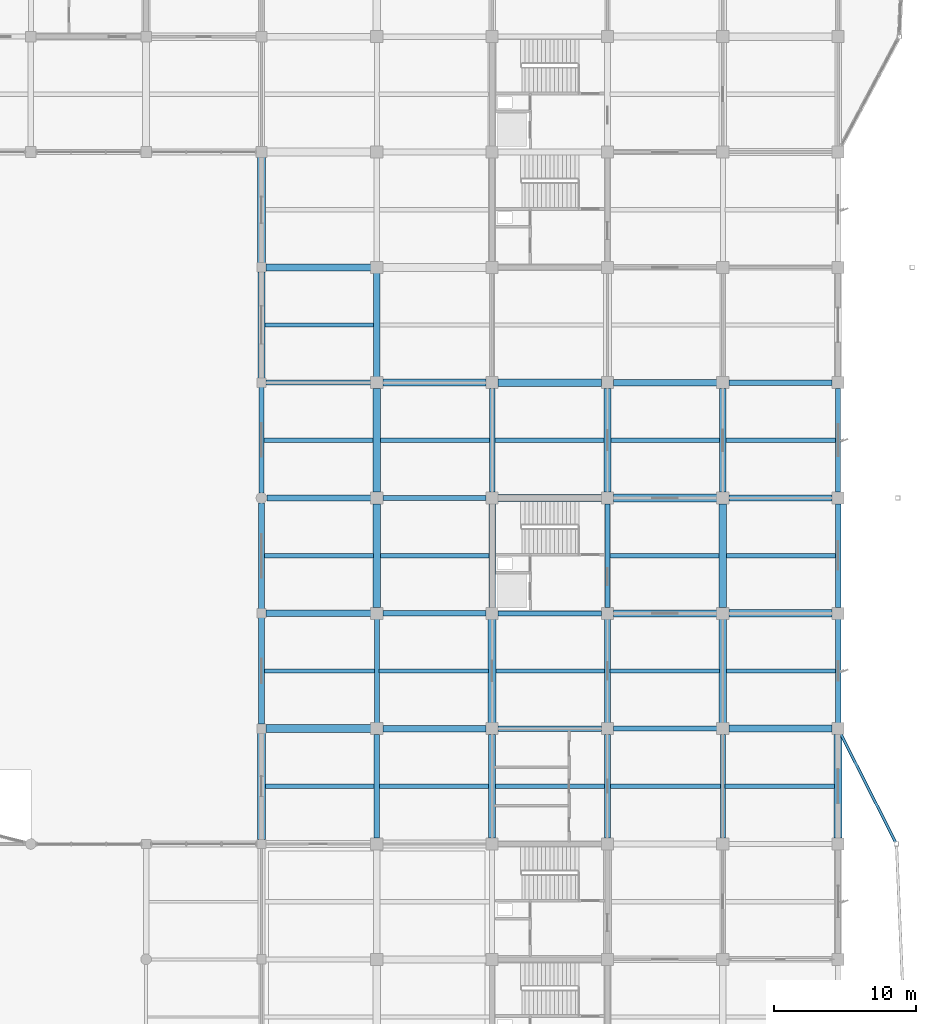
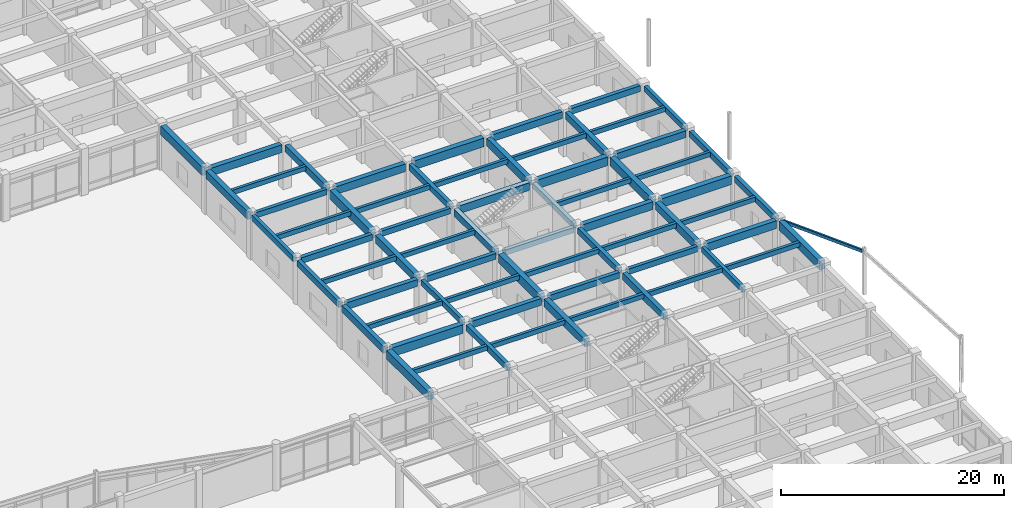
# One storey, part 41 of 99: 69 beams.
"""IFC4 building model written with IfcOpenShell, lengths in metres."""

from ifc_helpers import new_model, si_unit, direction, frame, origin, origin_2d, place, context, subcontext, project, spatial, rectangle, hollow_rectangle, extrude, material, material_profile, profile_set, type_object, element, save


model = new_model("IFC4")

# Units and contexts
model_context = context("Model", 3, precision=1e-05, world=origin(), true_north=direction((0.0, 1.0)))
body_context = subcontext(model_context, "Body", "Model", "MODEL_VIEW")
ifc_project = project(units=[si_unit("LENGTHUNIT", "METRE"), si_unit("AREAUNIT", "SQUARE_METRE"), si_unit("VOLUMEUNIT", "CUBIC_METRE"), si_unit("PLANEANGLEUNIT", "RADIAN"), si_unit("MASSUNIT", "GRAM", prefix="KILO")], contexts=[model_context])

# Site, building, storey
site_placement = place(None, origin())
site = spatial("IfcSite", under=ifc_project, at=site_placement, CompositionType="ELEMENT")
building_placement = place(site_placement, origin())
building = spatial("IfcBuilding", under=site, at=building_placement, Name="Vaudrelin Polytechnic", CompositionType="ELEMENT")
storey_placement = place(building_placement, origin())
storey = spatial("IfcBuildingStorey", under=building, at=storey_placement, Name="L00", CompositionType="ELEMENT", Elevation=0.0)

# Beams
ifc_material_1 = material(Name="Concrete 40 MPa", Category="concrete")
ifc_material_profile_1 = material_profile(ifc_material_1, rectangle(XDim=0.35009765625, YDim=0.60009765625, at=origin_2d()), Name="RC350x600")
ifc_profile_set_1 = profile_set([ifc_material_profile_1], Name="Concrete 40 MPa")
beam_type_1 = type_object("IfcBeamType", Name="BM-BM-RC3560", PredefinedType="BEAM", material=ifc_profile_set_1)
beam_1_placement = place(storey_placement, frame((129.60009765625, 73.260009765625, 4.52001953125), z_axis=(0.0, 1.0, 0.0), x_axis=(-1.0, 0.0, 0.0)))
element("IfcBeam", 1, at=beam_1_placement, inside=storey, type_object=beam_type_1, Name="L00 Y-beam 17-10", PredefinedType="BEAM", context=body_context, shape_type="SweptSolid", body=[
    extrude(rectangle(XDim=0.35009765625, YDim=0.60009765625, at=origin_2d()), origin(), (0.0, 0.0, 1.0), 7.429931640625),
])
beam_2_placement = place(storey_placement, frame((137.699951171875, 57.110107421875, 4.52001953125), z_axis=(0.0, 1.0, 0.0), x_axis=(-1.0, 0.0, 0.0)))
element("IfcBeam", 2, at=beam_2_placement, inside=storey, type_object=beam_type_1, Name="L00 Y-beam 18-8", PredefinedType="BEAM", context=body_context, shape_type="SweptSolid", body=[
    extrude(rectangle(XDim=0.35009765625, YDim=0.60009765625, at=origin_2d()), origin(), (0.0, 0.0, 1.0), 7.27978515625),
])
for number, where, z_axis, x_axis, name in (
    (3, (153.89990234375, 65.2099609375, 4.52001953125), (0.0, 1.0, 0.0), (-1.0, 0.0, 0.0), "L00 Y-beam 20-9"),
    (4, (162.0, 49.010009765625, 4.52001953125), (0.0, 1.0, 0.0), (-1.0, 0.0, 0.0), "L00 Y-beam 21-7"),
    (5, (170.10009765625, 73.31005859375, 4.52001953125), (0.0, 1.0, 0.0), (-1.0, 0.0, 0.0), "L00 Y-beam 22-10"),
):
    element("IfcBeam", number, at=place(storey_placement, frame(where, z_axis=z_axis, x_axis=x_axis)), inside=storey, type_object=beam_type_1, Name=name, PredefinedType="BEAM", context=body_context, shape_type="SweptSolid", body=[
        extrude(rectangle(XDim=0.35009765625, YDim=0.60009765625, at=origin_2d()), origin(), (0.0, 0.0, 1.0), 7.280029296875),
    ])
beam_3_placement = place(storey_placement, frame((129.9208984375, 81.0, 4.52001953125), z_axis=(1.0, 0.0, 0.0), x_axis=(0.0, 1.0, 0.0)))
element("IfcBeam", 6, at=beam_3_placement, inside=storey, type_object=beam_type_1, Name="L00 X-beam 17-11", PredefinedType="BEAM", context=body_context, shape_type="SweptSolid", body=[
    extrude(rectangle(XDim=0.35009765625, YDim=0.60009765625, at=origin_2d()), origin(), (0.0, 0.0, 1.0), 7.358154296875),
])
beam_4_placement = place(storey_placement, frame((138.12109375, 72.89990234375, 4.52001953125), z_axis=(1.0, 0.0, 0.0), x_axis=(0.0, 1.0, 0.0)))
element("IfcBeam", 7, at=beam_4_placement, inside=storey, type_object=beam_type_1, Name="L00 X-beam 18-10", PredefinedType="BEAM", context=body_context, shape_type="SweptSolid", body=[
    extrude(rectangle(XDim=0.35009765625, YDim=0.60009765625, at=origin_2d()), origin(), (0.0, 0.0, 1.0), 7.2578125),
])
for number, where, z_axis, x_axis, name in (
    (8, (146.220947265625, 64.800048828125, 4.52001953125), (1.0, 0.0, 0.0), (0.0, 1.0, 0.0), "L00 X-beam 19-9"),
    (9, (154.321044921875, 56.699951171875, 4.52001953125), (1.0, 0.0, 0.0), (0.0, 1.0, 0.0), "L00 X-beam 20-8"),
):
    element("IfcBeam", number, at=place(storey_placement, frame(where, z_axis=z_axis, x_axis=x_axis)), inside=storey, type_object=beam_type_1, Name=name, PredefinedType="BEAM", context=body_context, shape_type="SweptSolid", body=[
        extrude(rectangle(XDim=0.35009765625, YDim=0.60009765625, at=origin_2d()), origin(), (0.0, 0.0, 1.0), 7.258056640625),
    ])
ifc_material_profile_2 = material_profile(ifc_material_1, rectangle(XDim=0.39990234375, YDim=0.64990234375, at=origin_2d()), Name="RC400x650")
ifc_profile_set_2 = profile_set([ifc_material_profile_2], Name="Concrete 40 MPa")
beam_type_2 = type_object("IfcBeamType", Name="BM-BM-RC4065", PredefinedType="BEAM", material=ifc_profile_set_2)
for number, where, z_axis, x_axis, name in (
    (10, (137.699951171875, 49.010009765625, 4.4951171875), (0.0, 1.0, 0.0), (-1.0, 0.0, 0.0), "L00 Y-beam 18-7"),
    (11, (145.800048828125, 73.31005859375, 4.4951171875), (0.0, 1.0, 0.0), (-1.0, 0.0, 0.0), "L00 Y-beam 19-10"),
):
    element("IfcBeam", number, at=place(storey_placement, frame(where, z_axis=z_axis, x_axis=x_axis)), inside=storey, type_object=beam_type_2, Name=name, PredefinedType="BEAM", context=body_context, shape_type="SweptSolid", body=[
        extrude(rectangle(XDim=0.39990234375, YDim=0.64990234375, at=origin_2d()), origin(), (0.0, 0.0, 1.0), 7.280029296875),
    ])
beam_5_placement = place(storey_placement, frame((153.89990234375, 57.110107421875, 4.4951171875), z_axis=(0.0, 1.0, 0.0), x_axis=(-1.0, 0.0, 0.0)))
element("IfcBeam", 12, at=beam_5_placement, inside=storey, type_object=beam_type_2, Name="L00 Y-beam 20-8", PredefinedType="BEAM", context=body_context, shape_type="SweptSolid", body=[
    extrude(rectangle(XDim=0.39990234375, YDim=0.64990234375, at=origin_2d()), origin(), (0.0, 0.0, 1.0), 7.27978515625),
])
beam_6_placement = place(storey_placement, frame((170.10009765625, 65.2099609375, 4.4951171875), z_axis=(0.0, 1.0, 0.0), x_axis=(-1.0, 0.0, 0.0)))
element("IfcBeam", 13, at=beam_6_placement, inside=storey, type_object=beam_type_2, Name="L00 Y-beam 22-9", PredefinedType="BEAM", context=body_context, shape_type="SweptSolid", body=[
    extrude(rectangle(XDim=0.39990234375, YDim=0.64990234375, at=origin_2d()), origin(), (0.0, 0.0, 1.0), 7.280029296875),
])
beam_7_placement = place(storey_placement, frame((129.970947265625, 72.89990234375, 4.4951171875), z_axis=(1.0, 0.0, 0.0), x_axis=(0.0, 1.0, 0.0)))
element("IfcBeam", 14, at=beam_7_placement, inside=storey, type_object=beam_type_2, Name="L00 X-beam 17-10", PredefinedType="BEAM", context=body_context, shape_type="SweptSolid", body=[
    extrude(rectangle(XDim=0.39990234375, YDim=0.64990234375, at=origin_2d()), origin(), (0.0, 0.0, 1.0), 7.30810546875),
])
beam_8_placement = place(storey_placement, frame((138.12109375, 64.800048828125, 4.4951171875), z_axis=(1.0, 0.0, 0.0), x_axis=(0.0, 1.0, 0.0)))
element("IfcBeam", 15, at=beam_8_placement, inside=storey, type_object=beam_type_2, Name="L00 X-beam 18-9", PredefinedType="BEAM", context=body_context, shape_type="SweptSolid", body=[
    extrude(rectangle(XDim=0.39990234375, YDim=0.64990234375, at=origin_2d()), origin(), (0.0, 0.0, 1.0), 7.2578125),
])
for number, where, z_axis, x_axis, name in (
    (16, (146.220947265625, 56.699951171875, 4.4951171875), (1.0, 0.0, 0.0), (0.0, 1.0, 0.0), "L00 X-beam 19-8"),
    (17, (162.4208984375, 81.0, 4.4951171875), (1.0, 0.0, 0.0), (0.0, 1.0, 0.0), "L00 X-beam 21-11"),
):
    element("IfcBeam", number, at=place(storey_placement, frame(where, z_axis=z_axis, x_axis=x_axis)), inside=storey, type_object=beam_type_2, Name=name, PredefinedType="BEAM", context=body_context, shape_type="SweptSolid", body=[
        extrude(rectangle(XDim=0.39990234375, YDim=0.64990234375, at=origin_2d()), origin(), (0.0, 0.0, 1.0), 7.258056640625),
    ])
ifc_material_profile_3 = material_profile(ifc_material_1, rectangle(XDim=0.449951171875, YDim=0.75, at=origin_2d()), Name="RC450x750")
ifc_profile_set_3 = profile_set([ifc_material_profile_3], Name="Concrete 40 MPa")
beam_type_3 = type_object("IfcBeamType", Name="BM-BM-RC4575", PredefinedType="BEAM", material=ifc_profile_set_3)
beam_9_placement = place(storey_placement, frame((129.60009765625, 57.010009765625, 4.445068359375), z_axis=(0.0, 1.0, 0.0), x_axis=(-1.0, 0.0, 0.0)))
element("IfcBeam", 18, at=beam_9_placement, inside=storey, type_object=beam_type_3, Name="L00 Y-beam 17-8", PredefinedType="BEAM", context=body_context, shape_type="SweptSolid", body=[
    extrude(rectangle(XDim=0.449951171875, YDim=0.75, at=origin_2d()), origin(), (0.0, 0.0, 1.0), 7.47998046875),
])
for number, where, z_axis, x_axis, name in (
    (19, (137.699951171875, 81.409912109375, 4.445068359375), (0.0, 1.0, 0.0), (-1.0, 0.0, 0.0), "L00 Y-beam 18-11"),
    (20, (145.800048828125, 65.2099609375, 4.445068359375), (0.0, 1.0, 0.0), (-1.0, 0.0, 0.0), "L00 Y-beam 19-9"),
    (21, (153.89990234375, 49.010009765625, 4.445068359375), (0.0, 1.0, 0.0), (-1.0, 0.0, 0.0), "L00 Y-beam 20-7"),
    (22, (162.0, 73.31005859375, 4.445068359375), (0.0, 1.0, 0.0), (-1.0, 0.0, 0.0), "L00 Y-beam 21-10"),
):
    element("IfcBeam", number, at=place(storey_placement, frame(where, z_axis=z_axis, x_axis=x_axis)), inside=storey, type_object=beam_type_3, Name=name, PredefinedType="BEAM", context=body_context, shape_type="SweptSolid", body=[
        extrude(rectangle(XDim=0.449951171875, YDim=0.75, at=origin_2d()), origin(), (0.0, 0.0, 1.0), 7.280029296875),
    ])
beam_10_placement = place(storey_placement, frame((129.9208984375, 64.800048828125, 4.445068359375), z_axis=(1.0, 0.0, 0.0), x_axis=(0.0, 1.0, 0.0)))
element("IfcBeam", 23, at=beam_10_placement, inside=storey, type_object=beam_type_3, Name="L00 X-beam 17-9", PredefinedType="BEAM", context=body_context, shape_type="SweptSolid", body=[
    extrude(rectangle(XDim=0.449951171875, YDim=0.75, at=origin_2d()), origin(), (0.0, 0.0, 1.0), 7.358154296875),
])
beam_11_placement = place(storey_placement, frame((138.12109375, 56.699951171875, 4.445068359375), z_axis=(1.0, 0.0, 0.0), x_axis=(0.0, 1.0, 0.0)))
element("IfcBeam", 24, at=beam_11_placement, inside=storey, type_object=beam_type_3, Name="L00 X-beam 18-8", PredefinedType="BEAM", context=body_context, shape_type="SweptSolid", body=[
    extrude(rectangle(XDim=0.449951171875, YDim=0.75, at=origin_2d()), origin(), (0.0, 0.0, 1.0), 7.2578125),
])
for number, where, z_axis, x_axis, name in (
    (25, (154.321044921875, 81.0, 4.445068359375), (1.0, 0.0, 0.0), (0.0, 1.0, 0.0), "L00 X-beam 20-11"),
    (26, (162.4208984375, 72.89990234375, 4.445068359375), (1.0, 0.0, 0.0), (0.0, 1.0, 0.0), "L00 X-beam 21-10"),
):
    element("IfcBeam", number, at=place(storey_placement, frame(where, z_axis=z_axis, x_axis=x_axis)), inside=storey, type_object=beam_type_3, Name=name, PredefinedType="BEAM", context=body_context, shape_type="SweptSolid", body=[
        extrude(rectangle(XDim=0.449951171875, YDim=0.75, at=origin_2d()), origin(), (0.0, 0.0, 1.0), 7.258056640625),
    ])
ifc_material_profile_4 = material_profile(ifc_material_1, rectangle(XDim=0.5, YDim=0.85009765625, at=origin_2d()), Name="RC500x850")
ifc_profile_set_4 = profile_set([ifc_material_profile_4], Name="Concrete 40 MPa")
beam_type_4 = type_object("IfcBeamType", Name="BM-BM-RC5085", PredefinedType="BEAM", material=ifc_profile_set_4)
beam_12_placement = place(storey_placement, frame((129.60009765625, 81.31005859375, 4.39501953125), z_axis=(0.0, 1.0, 0.0), x_axis=(-1.0, 0.0, 0.0)))
element("IfcBeam", 27, at=beam_12_placement, inside=storey, type_object=beam_type_4, Name="L00 Y-beam 17-11", PredefinedType="BEAM", context=body_context, shape_type="SweptSolid", body=[
    extrude(rectangle(XDim=0.5, YDim=0.85009765625, at=origin_2d()), origin(), (0.0, 0.0, 1.0), 7.47998046875),
])
for number, where, z_axis, x_axis, name in (
    (28, (137.699951171875, 65.2099609375, 4.39501953125), (0.0, 1.0, 0.0), (-1.0, 0.0, 0.0), "L00 Y-beam 18-9"),
    (29, (145.800048828125, 49.010009765625, 4.39501953125), (0.0, 1.0, 0.0), (-1.0, 0.0, 0.0), "L00 Y-beam 19-7"),
    (30, (153.89990234375, 73.31005859375, 4.39501953125), (0.0, 1.0, 0.0), (-1.0, 0.0, 0.0), "L00 Y-beam 20-10"),
):
    element("IfcBeam", number, at=place(storey_placement, frame(where, z_axis=z_axis, x_axis=x_axis)), inside=storey, type_object=beam_type_4, Name=name, PredefinedType="BEAM", context=body_context, shape_type="SweptSolid", body=[
        extrude(rectangle(XDim=0.5, YDim=0.85009765625, at=origin_2d()), origin(), (0.0, 0.0, 1.0), 7.280029296875),
    ])
beam_13_placement = place(storey_placement, frame((162.0, 57.110107421875, 4.39501953125), z_axis=(0.0, 1.0, 0.0), x_axis=(-1.0, 0.0, 0.0)))
element("IfcBeam", 31, at=beam_13_placement, inside=storey, type_object=beam_type_4, Name="L00 Y-beam 21-8", PredefinedType="BEAM", context=body_context, shape_type="SweptSolid", body=[
    extrude(rectangle(XDim=0.5, YDim=0.85009765625, at=origin_2d()), origin(), (0.0, 0.0, 1.0), 7.27978515625),
])
beam_14_placement = place(storey_placement, frame((129.9208984375, 89.10009765625, 4.39501953125), z_axis=(1.0, 0.0, 0.0), x_axis=(0.0, 1.0, 0.0)))
element("IfcBeam", 32, at=beam_14_placement, inside=storey, type_object=beam_type_4, Name="L00 X-beam 17-12", PredefinedType="BEAM", context=body_context, shape_type="SweptSolid", body=[
    extrude(rectangle(XDim=0.5, YDim=0.85009765625, at=origin_2d()), origin(), (0.0, 0.0, 1.0), 7.358154296875),
])
beam_15_placement = place(storey_placement, frame((138.12109375, 81.0, 4.39501953125), z_axis=(1.0, 0.0, 0.0), x_axis=(0.0, 1.0, 0.0)))
element("IfcBeam", 33, at=beam_15_placement, inside=storey, type_object=beam_type_4, Name="L00 X-beam 18-11", PredefinedType="BEAM", context=body_context, shape_type="SweptSolid", body=[
    extrude(rectangle(XDim=0.5, YDim=0.85009765625, at=origin_2d()), origin(), (0.0, 0.0, 1.0), 7.2578125),
])
for number, where, z_axis, x_axis, name in (
    (34, (146.220947265625, 72.89990234375, 4.39501953125), (1.0, 0.0, 0.0), (0.0, 1.0, 0.0), "L00 X-beam 19-10"),
    (35, (154.321044921875, 64.800048828125, 4.39501953125), (1.0, 0.0, 0.0), (0.0, 1.0, 0.0), "L00 X-beam 20-9"),
    (36, (162.4208984375, 56.699951171875, 4.39501953125), (1.0, 0.0, 0.0), (0.0, 1.0, 0.0), "L00 X-beam 21-8"),
):
    element("IfcBeam", number, at=place(storey_placement, frame(where, z_axis=z_axis, x_axis=x_axis)), inside=storey, type_object=beam_type_4, Name=name, PredefinedType="BEAM", context=body_context, shape_type="SweptSolid", body=[
        extrude(rectangle(XDim=0.5, YDim=0.85009765625, at=origin_2d()), origin(), (0.0, 0.0, 1.0), 7.258056640625),
    ])
ifc_material_2 = material(Name="Concrete 50 MPa", Category="concrete")
ifc_material_profile_5 = material_profile(ifc_material_2, rectangle(XDim=0.550048828125, YDim=0.949951171875, at=origin_2d()), Name="RC550x950")
ifc_profile_set_5 = profile_set([ifc_material_profile_5], Name="Concrete 50 MPa")
beam_type_5 = type_object("IfcBeamType", Name="BM-BM-RC5595", PredefinedType="BEAM", material=ifc_profile_set_5)
beam_16_placement = place(storey_placement, frame((129.60009765625, 48.909912109375, 4.344970703125), z_axis=(0.0, 1.0, 0.0), x_axis=(-1.0, 0.0, 0.0)))
element("IfcBeam", 37, at=beam_16_placement, inside=storey, type_object=beam_type_5, Name="L00 Y-beam 17-7", PredefinedType="BEAM", context=body_context, shape_type="SweptSolid", body=[
    extrude(rectangle(XDim=0.550048828125, YDim=0.949951171875, at=origin_2d()), origin(), (0.0, 0.0, 1.0), 7.47998046875),
])
beam_17_placement = place(storey_placement, frame((129.60009765625, 89.409912109375, 4.344970703125), z_axis=(0.0, 1.0, 0.0), x_axis=(-1.0, 0.0, 0.0)))
element("IfcBeam", 38, at=beam_17_placement, inside=storey, type_object=beam_type_5, Name="L00 Y-beam 17-12", PredefinedType="BEAM", context=body_context, shape_type="SweptSolid", body=[
    extrude(rectangle(XDim=0.550048828125, YDim=0.949951171875, at=origin_2d()), origin(), (0.0, 0.0, 1.0), 7.43017578125),
])
beam_18_placement = place(storey_placement, frame((137.699951171875, 73.31005859375, 4.344970703125), z_axis=(0.0, 1.0, 0.0), x_axis=(-1.0, 0.0, 0.0)))
element("IfcBeam", 39, at=beam_18_placement, inside=storey, type_object=beam_type_5, Name="L00 Y-beam 18-10", PredefinedType="BEAM", context=body_context, shape_type="SweptSolid", body=[
    extrude(rectangle(XDim=0.550048828125, YDim=0.949951171875, at=origin_2d()), origin(), (0.0, 0.0, 1.0), 7.280029296875),
])
beam_19_placement = place(storey_placement, frame((145.800048828125, 57.110107421875, 4.344970703125), z_axis=(0.0, 1.0, 0.0), x_axis=(-1.0, 0.0, 0.0)))
element("IfcBeam", 40, at=beam_19_placement, inside=storey, type_object=beam_type_5, Name="L00 Y-beam 19-8", PredefinedType="BEAM", context=body_context, shape_type="SweptSolid", body=[
    extrude(rectangle(XDim=0.550048828125, YDim=0.949951171875, at=origin_2d()), origin(), (0.0, 0.0, 1.0), 7.27978515625),
])
for number, where, z_axis, x_axis, name in (
    (41, (162.0, 65.2099609375, 4.344970703125), (0.0, 1.0, 0.0), (-1.0, 0.0, 0.0), "L00 Y-beam 21-9"),
    (42, (170.10009765625, 49.010009765625, 4.344970703125), (0.0, 1.0, 0.0), (-1.0, 0.0, 0.0), "L00 Y-beam 22-7"),
):
    element("IfcBeam", number, at=place(storey_placement, frame(where, z_axis=z_axis, x_axis=x_axis)), inside=storey, type_object=beam_type_5, Name=name, PredefinedType="BEAM", context=body_context, shape_type="SweptSolid", body=[
        extrude(rectangle(XDim=0.550048828125, YDim=0.949951171875, at=origin_2d()), origin(), (0.0, 0.0, 1.0), 7.280029296875),
    ])
beam_20_placement = place(storey_placement, frame((129.9208984375, 56.699951171875, 4.344970703125), z_axis=(1.0, 0.0, 0.0), x_axis=(0.0, 1.0, 0.0)))
element("IfcBeam", 43, at=beam_20_placement, inside=storey, type_object=beam_type_5, Name="L00 X-beam 17-8", PredefinedType="BEAM", context=body_context, shape_type="SweptSolid", body=[
    extrude(rectangle(XDim=0.550048828125, YDim=0.949951171875, at=origin_2d()), origin(), (0.0, 0.0, 1.0), 7.358154296875),
])
for number, where, z_axis, x_axis, name in (
    (44, (146.220947265625, 81.0, 4.344970703125), (1.0, 0.0, 0.0), (0.0, 1.0, 0.0), "L00 X-beam 19-11"),
    (45, (154.321044921875, 72.89990234375, 4.344970703125), (1.0, 0.0, 0.0), (0.0, 1.0, 0.0), "L00 X-beam 20-10"),
    (46, (162.4208984375, 64.800048828125, 4.344970703125), (1.0, 0.0, 0.0), (0.0, 1.0, 0.0), "L00 X-beam 21-9"),
):
    element("IfcBeam", number, at=place(storey_placement, frame(where, z_axis=z_axis, x_axis=x_axis)), inside=storey, type_object=beam_type_5, Name=name, PredefinedType="BEAM", context=body_context, shape_type="SweptSolid", body=[
        extrude(rectangle(XDim=0.550048828125, YDim=0.949951171875, at=origin_2d()), origin(), (0.0, 0.0, 1.0), 7.258056640625),
    ])
ifc_material_profile_6 = material_profile(ifc_material_1, rectangle(XDim=0.300048828125, YDim=0.5, at=origin_2d()), Name="RC300x500")
ifc_profile_set_6 = profile_set([ifc_material_profile_6], Name="Concrete 40 MPa")
beam_type_6 = type_object("IfcBeamType", Name="BM-JS-RC3050", PredefinedType="JOIST", material=ifc_profile_set_6)
beam_21_placement = place(storey_placement, frame((129.87109375, 52.64990234375, 4.570068359375), z_axis=(1.0, 0.0, 0.0), x_axis=(0.0, 1.0, 0.0)))
element("IfcBeam", 47, at=beam_21_placement, inside=storey, type_object=beam_type_6, Name="L00 floor joist 17-7", PredefinedType="JOIST", context=body_context, shape_type="SweptSolid", body=[
    extrude(rectangle(XDim=0.300048828125, YDim=0.5, at=origin_2d()), origin(), (0.0, 0.0, 1.0), 7.6328125),
])
beam_22_placement = place(storey_placement, frame((129.821044921875, 60.75, 4.570068359375), z_axis=(1.0, 0.0, 0.0), x_axis=(0.0, 1.0, 0.0)))
element("IfcBeam", 48, at=beam_22_placement, inside=storey, type_object=beam_type_6, Name="L00 floor joist 17-8", PredefinedType="JOIST", context=body_context, shape_type="SweptSolid", body=[
    extrude(rectangle(XDim=0.300048828125, YDim=0.5, at=origin_2d()), origin(), (0.0, 0.0, 1.0), 7.7080078125),
])
beam_23_placement = place(storey_placement, frame((129.7958984375, 68.85009765625, 4.570068359375), z_axis=(1.0, 0.0, 0.0), x_axis=(0.0, 1.0, 0.0)))
element("IfcBeam", 49, at=beam_23_placement, inside=storey, type_object=beam_type_6, Name="L00 floor joist 17-9", PredefinedType="JOIST", context=body_context, shape_type="SweptSolid", body=[
    extrude(rectangle(XDim=0.300048828125, YDim=0.5, at=origin_2d()), origin(), (0.0, 0.0, 1.0), 7.658203125),
])
beam_24_placement = place(storey_placement, frame((129.77099609375, 76.949951171875, 4.570068359375), z_axis=(1.0, 0.0, 0.0), x_axis=(0.0, 1.0, 0.0)))
element("IfcBeam", 50, at=beam_24_placement, inside=storey, type_object=beam_type_6, Name="L00 floor joist 17-10", PredefinedType="JOIST", context=body_context, shape_type="SweptSolid", body=[
    extrude(rectangle(XDim=0.300048828125, YDim=0.5, at=origin_2d()), origin(), (0.0, 0.0, 1.0), 7.657958984375),
])
beam_25_placement = place(storey_placement, frame((129.845947265625, 85.050048828125, 4.570068359375), z_axis=(1.0, 0.0, 0.0), x_axis=(0.0, 1.0, 0.0)))
element("IfcBeam", 51, at=beam_25_placement, inside=storey, type_object=beam_type_6, Name="L00 floor joist 17-11", PredefinedType="JOIST", context=body_context, shape_type="SweptSolid", body=[
    extrude(rectangle(XDim=0.300048828125, YDim=0.5, at=origin_2d()), origin(), (0.0, 0.0, 1.0), 7.633056640625),
])
for number, where, z_axis, x_axis, name in (
    (52, (137.89599609375, 52.64990234375, 4.570068359375), (1.0, 0.0, 0.0), (0.0, 1.0, 0.0), "L00 floor joist 18-7"),
    (53, (137.87109375, 60.75, 4.570068359375), (1.0, 0.0, 0.0), (0.0, 1.0, 0.0), "L00 floor joist 18-8"),
):
    element("IfcBeam", number, at=place(storey_placement, frame(where, z_axis=z_axis, x_axis=x_axis)), inside=storey, type_object=beam_type_6, Name=name, PredefinedType="JOIST", context=body_context, shape_type="SweptSolid", body=[
        extrude(rectangle(XDim=0.300048828125, YDim=0.5, at=origin_2d()), origin(), (0.0, 0.0, 1.0), 7.657958984375),
    ])
for number, where, z_axis, x_axis, name in (
    (54, (137.946044921875, 68.85009765625, 4.570068359375), (1.0, 0.0, 0.0), (0.0, 1.0, 0.0), "L00 floor joist 18-9"),
    (55, (137.970947265625, 76.949951171875, 4.570068359375), (1.0, 0.0, 0.0), (0.0, 1.0, 0.0), "L00 floor joist 18-10"),
    (56, (146.0458984375, 52.64990234375, 4.570068359375), (1.0, 0.0, 0.0), (0.0, 1.0, 0.0), "L00 floor joist 19-7"),
    (57, (146.071044921875, 60.75, 4.570068359375), (1.0, 0.0, 0.0), (0.0, 1.0, 0.0), "L00 floor joist 19-8"),
):
    element("IfcBeam", number, at=place(storey_placement, frame(where, z_axis=z_axis, x_axis=x_axis)), inside=storey, type_object=beam_type_6, Name=name, PredefinedType="JOIST", context=body_context, shape_type="SweptSolid", body=[
        extrude(rectangle(XDim=0.300048828125, YDim=0.5, at=origin_2d()), origin(), (0.0, 0.0, 1.0), 7.633056640625),
    ])
beam_26_placement = place(storey_placement, frame((145.99609375, 76.949951171875, 4.570068359375), z_axis=(1.0, 0.0, 0.0), x_axis=(0.0, 1.0, 0.0)))
element("IfcBeam", 58, at=beam_26_placement, inside=storey, type_object=beam_type_6, Name="L00 floor joist 19-10", PredefinedType="JOIST", context=body_context, shape_type="SweptSolid", body=[
    extrude(rectangle(XDim=0.300048828125, YDim=0.5, at=origin_2d()), origin(), (0.0, 0.0, 1.0), 7.657958984375),
])
beam_27_placement = place(storey_placement, frame((154.12109375, 52.64990234375, 4.570068359375), z_axis=(1.0, 0.0, 0.0), x_axis=(0.0, 1.0, 0.0)))
element("IfcBeam", 59, at=beam_27_placement, inside=storey, type_object=beam_type_6, Name="L00 floor joist 20-7", PredefinedType="JOIST", context=body_context, shape_type="SweptSolid", body=[
    extrude(rectangle(XDim=0.300048828125, YDim=0.5, at=origin_2d()), origin(), (0.0, 0.0, 1.0), 7.7080078125),
])
for number, where, z_axis, x_axis, name in (
    (60, (154.095947265625, 60.75, 4.570068359375), (1.0, 0.0, 0.0), (0.0, 1.0, 0.0), "L00 floor joist 20-8"),
    (61, (154.071044921875, 68.85009765625, 4.570068359375), (1.0, 0.0, 0.0), (0.0, 1.0, 0.0), "L00 floor joist 20-9"),
):
    element("IfcBeam", number, at=place(storey_placement, frame(where, z_axis=z_axis, x_axis=x_axis)), inside=storey, type_object=beam_type_6, Name=name, PredefinedType="JOIST", context=body_context, shape_type="SweptSolid", body=[
        extrude(rectangle(XDim=0.300048828125, YDim=0.5, at=origin_2d()), origin(), (0.0, 0.0, 1.0), 7.657958984375),
    ])
beam_28_placement = place(storey_placement, frame((154.14599609375, 76.949951171875, 4.570068359375), z_axis=(1.0, 0.0, 0.0), x_axis=(0.0, 1.0, 0.0)))
element("IfcBeam", 62, at=beam_28_placement, inside=storey, type_object=beam_type_6, Name="L00 floor joist 20-10", PredefinedType="JOIST", context=body_context, shape_type="SweptSolid", body=[
    extrude(rectangle(XDim=0.300048828125, YDim=0.5, at=origin_2d()), origin(), (0.0, 0.0, 1.0), 7.633056640625),
])
beam_29_placement = place(storey_placement, frame((162.1708984375, 52.64990234375, 4.570068359375), z_axis=(1.0, 0.0, 0.0), x_axis=(0.0, 1.0, 0.0)))
element("IfcBeam", 63, at=beam_29_placement, inside=storey, type_object=beam_type_6, Name="L00 floor joist 21-7", PredefinedType="JOIST", context=body_context, shape_type="SweptSolid", body=[
    extrude(rectangle(XDim=0.300048828125, YDim=0.5, at=origin_2d()), origin(), (0.0, 0.0, 1.0), 7.658203125),
])
beam_30_placement = place(storey_placement, frame((162.24609375, 60.75, 4.570068359375), z_axis=(1.0, 0.0, 0.0), x_axis=(0.0, 1.0, 0.0)))
element("IfcBeam", 64, at=beam_30_placement, inside=storey, type_object=beam_type_6, Name="L00 floor joist 21-8", PredefinedType="JOIST", context=body_context, shape_type="SweptSolid", body=[
    extrude(rectangle(XDim=0.300048828125, YDim=0.5, at=origin_2d()), origin(), (0.0, 0.0, 1.0), 7.657958984375),
])
beam_31_placement = place(storey_placement, frame((162.27099609375, 68.85009765625, 4.570068359375), z_axis=(1.0, 0.0, 0.0), x_axis=(0.0, 1.0, 0.0)))
element("IfcBeam", 65, at=beam_31_placement, inside=storey, type_object=beam_type_6, Name="L00 floor joist 21-9", PredefinedType="JOIST", context=body_context, shape_type="SweptSolid", body=[
    extrude(rectangle(XDim=0.300048828125, YDim=0.5, at=origin_2d()), origin(), (0.0, 0.0, 1.0), 7.633056640625),
])
beam_32_placement = place(storey_placement, frame((162.220947265625, 76.949951171875, 4.570068359375), z_axis=(1.0, 0.0, 0.0), x_axis=(0.0, 1.0, 0.0)))
element("IfcBeam", 66, at=beam_32_placement, inside=storey, type_object=beam_type_6, Name="L00 floor joist 21-10", PredefinedType="JOIST", context=body_context, shape_type="SweptSolid", body=[
    extrude(rectangle(XDim=0.300048828125, YDim=0.5, at=origin_2d()), origin(), (0.0, 0.0, 1.0), 7.7080078125),
])
ifc_material_3 = material(Name="Steel CSA G40.21 350WT", Category="steel")
ifc_material_profile_7 = material_profile(ifc_material_3, hollow_rectangle(XDim=0.202880859375, YDim=0.35595703125, WallThickness=0.0126953125, InnerFilletRadius=0.0126953125, OuterFilletRadius=0.025390625, at=origin_2d()), Name="HSS356x203x12.7")
ifc_profile_set_7 = profile_set([ifc_material_profile_7], Name="Steel CSA G40.21 350WT")
beam_type_7 = type_object("IfcBeamType", Name="BM-SP-HSS35", PredefinedType="SPANDREL", material=ifc_profile_set_7)
beam_33_placement = place(storey_placement, frame((174.13671875, 48.724853515625, 4.64208984375), z_axis=(-0.451614433944, 0.892213204931, 0.0), x_axis=(-0.892213204931, -0.451614433944, 0.0)))
element("IfcBeam", 67, at=beam_33_placement, inside=storey, type_object=beam_type_7, Name="Sculptural edge beam L00 E_OR1_B3", PredefinedType="SPANDREL", context=body_context, shape_type="SweptSolid", body=[
    extrude(hollow_rectangle(XDim=0.202880859375, YDim=0.35595703125, WallThickness=0.0126953125, InnerFilletRadius=0.0126953125, OuterFilletRadius=0.025390625, at=origin_2d()), origin(), (0.0, 0.0, 1.0), 8.798828125),
])
ifc_material_profile_8 = material_profile(ifc_material_1, rectangle(XDim=0.39990234375, YDim=0.64990234375, at=origin_2d()), Name="RC400x650")
ifc_profile_set_8 = profile_set([ifc_material_profile_8], Name="Concrete 40 MPa")
beam_type_8 = type_object("IfcBeamType", Name="BM-SP-RC4065", PredefinedType="SPANDREL", material=ifc_profile_set_8)
beam_34_placement = place(storey_placement, frame((129.60009765625, 65.110107421875, 4.4951171875), z_axis=(0.0, 1.0, 0.0), x_axis=(-1.0, 0.0, 0.0)))
element("IfcBeam", 68, at=beam_34_placement, inside=storey, type_object=beam_type_8, Name="L00 Y-beam 17-9", PredefinedType="SPANDREL", context=body_context, shape_type="SweptSolid", body=[
    extrude(rectangle(XDim=0.39990234375, YDim=0.64990234375, at=origin_2d()), origin(), (0.0, 0.0, 1.0), 7.429931640625),
])
beam_35_placement = place(storey_placement, frame((170.10009765625, 57.110107421875, 4.4951171875), z_axis=(0.0, 1.0, 0.0), x_axis=(-1.0, 0.0, 0.0)))
element("IfcBeam", 69, at=beam_35_placement, inside=storey, type_object=beam_type_8, Name="L00 Y-beam 22-8", PredefinedType="SPANDREL", context=body_context, shape_type="SweptSolid", body=[
    extrude(rectangle(XDim=0.39990234375, YDim=0.64990234375, at=origin_2d()), origin(), (0.0, 0.0, 1.0), 7.27978515625),
])

save(model, "model.ifc")
